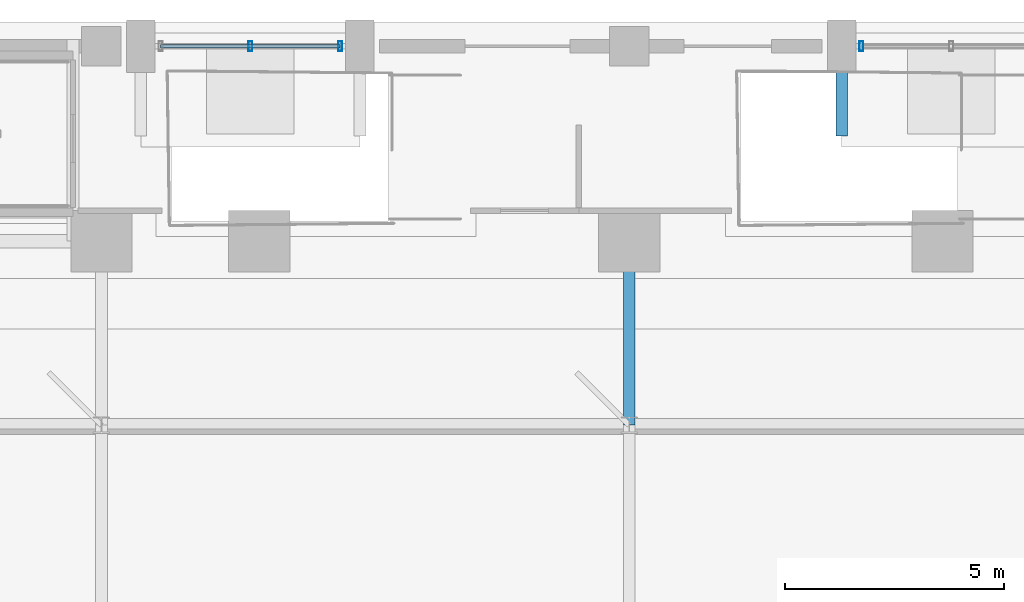
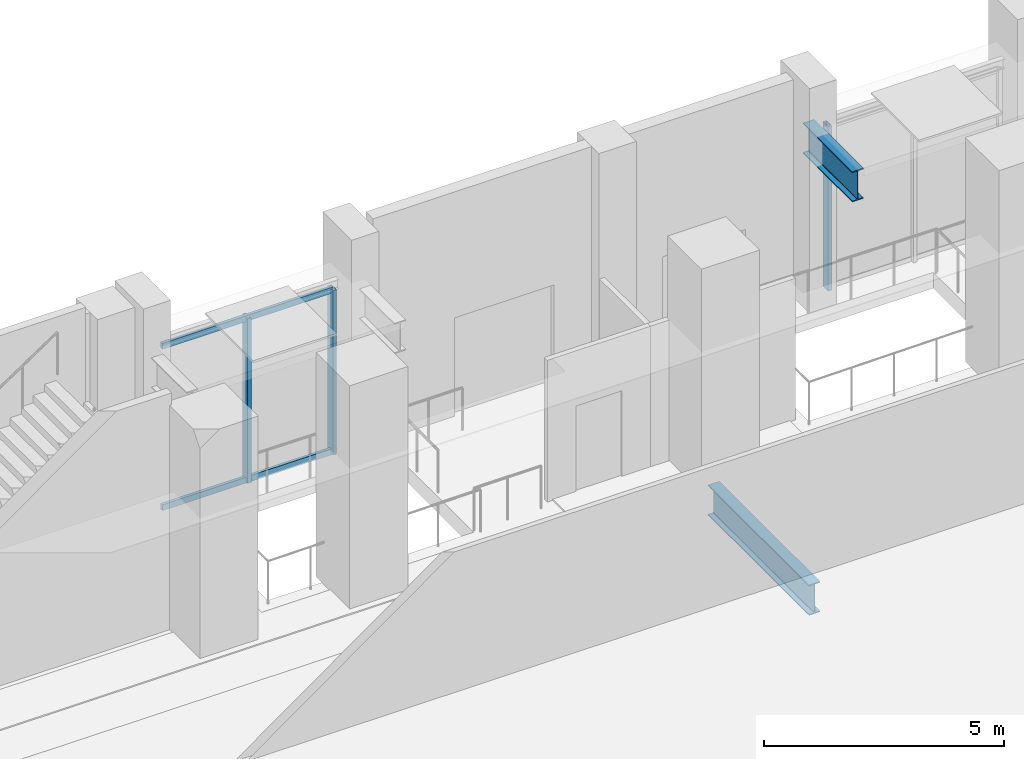
# One storey, part 13 of 36: 5 members, 2 beams, 2 elements without a shape of their own.
"""IFC4 building model written with IfcOpenShell, lengths in metres."""

from ifc_helpers import new_model, si_unit, direction, frame, origin, origin_2d, place, context, subcontext, project, spatial, hollow_rectangle, i_section, extrude, material, layer, layer_set, material_profile, profile_set, type_object, element, aggregate, save


model = new_model("IFC4")

# Units and contexts
model_context = context("Model", 3, precision=1e-05, world=origin(), true_north=direction((0.0, 1.0)))
body_context = subcontext(model_context, "Body", "Model", "MODEL_VIEW")
ifc_project = project(units=[si_unit("LENGTHUNIT", "METRE"), si_unit("AREAUNIT", "SQUARE_METRE"), si_unit("VOLUMEUNIT", "CUBIC_METRE"), si_unit("PLANEANGLEUNIT", "RADIAN"), si_unit("MASSUNIT", "GRAM", prefix="KILO")], contexts=[model_context])

# Site, building, storey
site_placement = place(None, origin())
site = spatial("IfcSite", under=ifc_project, at=site_placement, CompositionType="ELEMENT")
building_placement = place(site_placement, origin())
building = spatial("IfcBuilding", under=site, at=building_placement, Name="Ndaravel Arena Tower", CompositionType="ELEMENT")
storey_placement = place(building_placement, origin())
storey = spatial("IfcBuildingStorey", under=building, at=storey_placement, Name="L00", CompositionType="ELEMENT", Elevation=0.0)

# Beams
ifc_material_1 = material(Name="Steel S355", Category="steel")
ifc_material_profile_1 = material_profile(ifc_material_1, i_section(OverallWidth=0.26806640625, OverallDepth=0.769775390625, WebThickness=0.015625, FlangeThickness=0.025390625, FilletRadius=0.0166015625, at=origin_2d()), Name="UB 762x267x197")
ifc_profile_set_1 = profile_set([ifc_material_profile_1], Name="Steel S355")
beam_type = type_object("IfcBeamType", Name="BM-POD-UB762", PredefinedType="BEAM", material=ifc_profile_set_1)
beam_1_placement = place(storey_placement, frame((47.5, 47.449951171875, 4.01513671875), z_axis=(0.0, -1.0, 0.0), x_axis=(1.0, 0.0, 0.0)))
element("IfcBeam", 1, at=beam_1_placement, inside=storey, type_object=beam_type, Name="L00 Entrance Canopy Cantilever Arm 06-1", PredefinedType="BEAM", context=body_context, shape_type="SweptSolid", body=[
    extrude(i_section(OverallWidth=0.26806640625, OverallDepth=0.769775390625, WebThickness=0.015625, FlangeThickness=0.025390625, FilletRadius=0.0166015625, at=origin_2d()), origin(), (0.0, 0.0, 1.0), 2.050048828125),
])
beam_2_placement = place(storey_placement, frame((42.64990234375, 38.800048828125, -0.784912109375), z_axis=(0.0, 1.0, 0.0), x_axis=(-1.0, 0.0, 0.0)))
element("IfcBeam", 2, at=beam_2_placement, inside=storey, type_object=beam_type, Name="L00 Sub-Court Tie 3.38", PredefinedType="BEAM", context=body_context, shape_type="SweptSolid", body=[
    extrude(i_section(OverallWidth=0.26806640625, OverallDepth=0.769775390625, WebThickness=0.015625, FlangeThickness=0.025390625, FilletRadius=0.0166015625, at=origin_2d()), origin(), (0.0, 0.0, 1.0), 4.199951171875),
])

# Curtain wall, members
ifc_material_2 = material(Name="Aluminium", Category="aluminium")
ifc_layer = layer(ifc_material_2, 0.179931640625)
ifc_layer_set = layer_set([ifc_layer], Name="Aluminium")
curtain_wall_type = type_object("IfcCurtainWallType", Name="CW-SYS-05", PredefinedType="NOTDEFINED", material=ifc_layer_set)
curtain_wall_1_placement = place(storey_placement, origin())
curtain_wall_1 = element("IfcCurtainWall", 3, at=curtain_wall_1_placement, inside=storey, type_object=curtain_wall_type, Name="L00 North Plaza Storefront CW-L00-NF-1", PredefinedType="NOTDEFINED")
ifc_material_3 = material(Name="Aluminium", Category="aluminium")
ifc_material_profile_2 = material_profile(ifc_material_3, hollow_rectangle(XDim=0.090087890625, YDim=0.219970703125, WallThickness=0.0048828125, at=origin_2d()), Name="CW MULLION 90x220x5")
ifc_profile_set_2 = profile_set([ifc_material_profile_2], Name="Aluminium")
member_type_1 = type_object("IfcMemberType", Name="MEM-CW-MUL220", PredefinedType="MULLION", material=ifc_profile_set_2)
member_1_placement = place(storey_placement, frame((34.0, 47.449951171875, 0.0), z_axis=(0.0, 0.0, 1.0), x_axis=(1.0, 0.0, 0.0)))
member_1 = element("IfcMember", 4, at=member_1_placement, type_object=member_type_1, Name="CW-L00-NF-1 Mullion 01", PredefinedType="MULLION", context=body_context, shape_type="SweptSolid", body=[
    extrude(hollow_rectangle(XDim=0.090087890625, YDim=0.219970703125, WallThickness=0.0048828125, at=origin_2d()), origin(), (0.0, 0.0, 1.0), 4.179931640625),
])
member_2_placement = place(storey_placement, frame((36.050048828125, 47.449951171875, 0.0), z_axis=(0.0, 0.0, 1.0), x_axis=(1.0, 0.0, 0.0)))
member_2 = element("IfcMember", 5, at=member_2_placement, type_object=member_type_1, Name="CW-L00-NF-1 Mullion 02", PredefinedType="MULLION", context=body_context, shape_type="SweptSolid", body=[
    extrude(hollow_rectangle(XDim=0.090087890625, YDim=0.219970703125, WallThickness=0.0048828125, at=origin_2d()), origin(), (0.0, 0.0, 1.0), 4.179931640625),
])

# Curtain wall, member
curtain_wall_2_placement = place(storey_placement, origin())
curtain_wall_2 = element("IfcCurtainWall", 6, at=curtain_wall_2_placement, inside=storey, type_object=curtain_wall_type, Name="L00 North Plaza Storefront CW-L00-NF-2", PredefinedType="NOTDEFINED")
member_3_placement = place(storey_placement, frame((47.949951171875, 47.449951171875, 0.0), z_axis=(0.0, 0.0, 1.0), x_axis=(1.0, 0.0, 0.0)))
member_3 = element("IfcMember", 7, at=member_3_placement, type_object=member_type_1, Name="CW-L00-NF-2 Mullion 00", PredefinedType="MULLION", context=body_context, shape_type="SweptSolid", body=[
    extrude(hollow_rectangle(XDim=0.090087890625, YDim=0.219970703125, WallThickness=0.0048828125, at=origin_2d()), origin(), (0.0, 0.0, 1.0), 4.179931640625),
])
aggregate(curtain_wall_2, [member_3])

# Member
ifc_material_4 = material(Name="Aluminium", Category="aluminium")
ifc_material_profile_3 = material_profile(ifc_material_4, hollow_rectangle(XDim=0.074951171875, YDim=0.14990234375, WallThickness=0.00390625, at=origin_2d()), Name="CW TRANSOM 75x150x4")
ifc_profile_set_3 = profile_set([ifc_material_profile_3], Name="Aluminium")
member_type_2 = type_object("IfcMemberType", Name="MEM-CW-TRN150", PredefinedType="USERDEFINED", material=ifc_profile_set_3)
member_4_placement = place(storey_placement, frame((31.949951171875, 47.449951171875, 0.0400390625), z_axis=(1.0, 0.0, 0.0), x_axis=(0.0, 1.0, 0.0)))
member_4 = element("IfcMember", 8, at=member_4_placement, type_object=member_type_2, Name="CW-L00-NF-1 Transom 01", ObjectType="TRANSOM", PredefinedType="USERDEFINED", context=body_context, shape_type="SweptSolid", body=[
    extrude(hollow_rectangle(XDim=0.074951171875, YDim=0.14990234375, WallThickness=0.00390625, at=origin_2d()), origin(), (0.0, 0.0, 1.0), 4.10009765625),
])

member_5_placement = place(storey_placement, frame((31.949951171875, 47.449951171875, 4.139892578125), z_axis=(1.0, 0.0, 0.0), x_axis=(0.0, 1.0, 0.0)))
member_5 = element("IfcMember", 9, at=member_5_placement, type_object=member_type_2, Name="CW-L00-NF-1 Transom 02", ObjectType="TRANSOM", PredefinedType="USERDEFINED", context=body_context, shape_type="SweptSolid", body=[
    extrude(hollow_rectangle(XDim=0.074951171875, YDim=0.14990234375, WallThickness=0.00390625, at=origin_2d()), origin(), (0.0, 0.0, 1.0), 4.10009765625),
])

aggregate(curtain_wall_1, [member_1, member_2, member_4, member_5])

save(model, "model.ifc")
